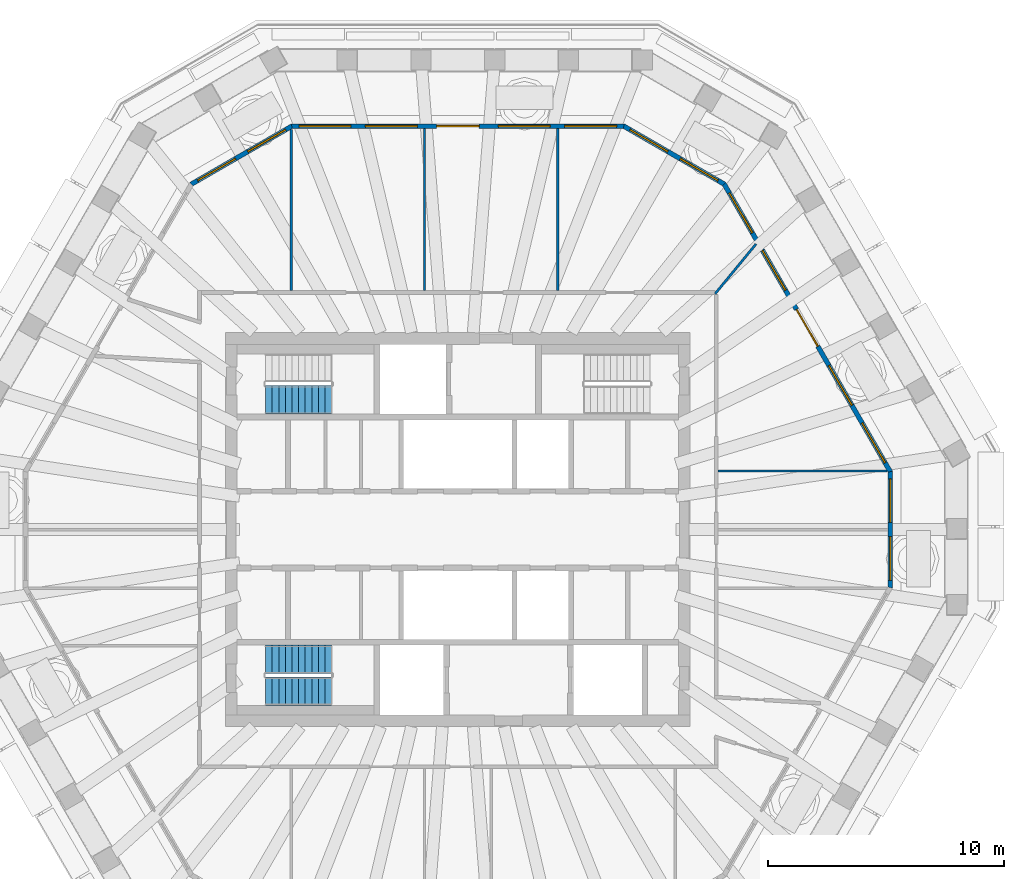
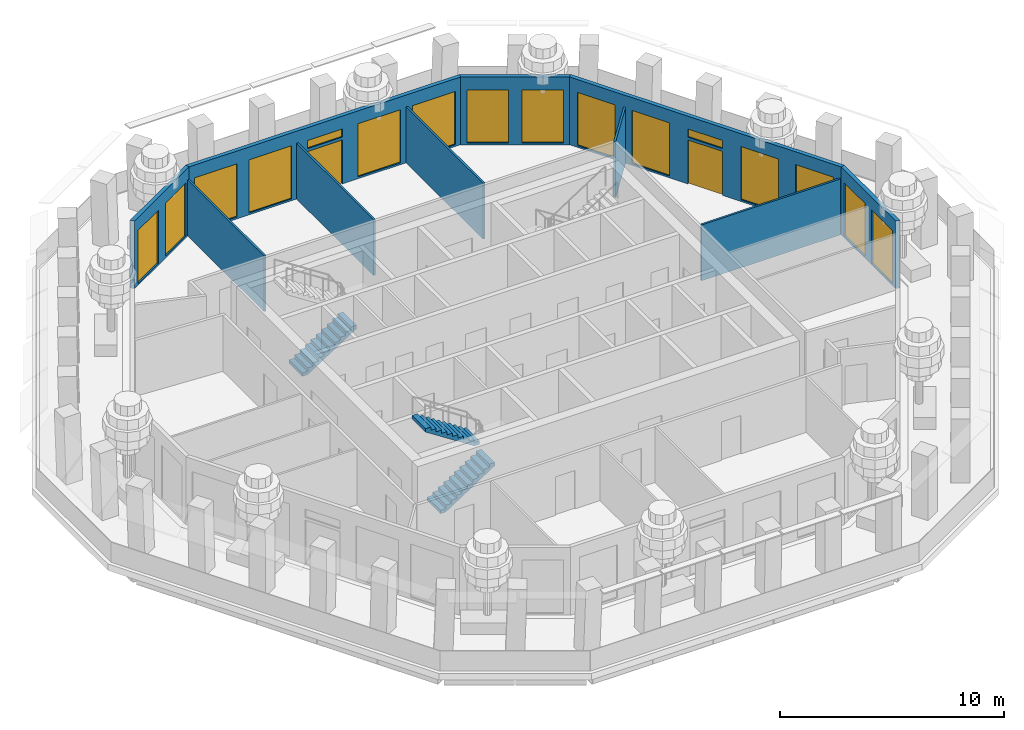
# One storey, part 7 of 13: 16 windows, 10 walls, 3 stair flights, 2 doors, 18 openings, 2 elements without a shape of their own.
"""IFC4 building model written with IfcOpenShell, lengths in metres."""

from ifc_helpers import new_model, si_unit, direction, frame, frame_2d, origin, place, context, subcontext, project, spatial, polyline, rectangle, outline, extrude, material, layer, layer_set, type_object, element, fill, aggregate, save


model = new_model("IFC4")

# Units and contexts
model_context = context("Model", 3, precision=1e-05, world=origin(), true_north=direction((0.0, 1.0)))
body_context = subcontext(model_context, "Body", "Model", "MODEL_VIEW")
ifc_project = project(units=[si_unit("LENGTHUNIT", "METRE"), si_unit("AREAUNIT", "SQUARE_METRE"), si_unit("VOLUMEUNIT", "CUBIC_METRE"), si_unit("PLANEANGLEUNIT", "RADIAN"), si_unit("MASSUNIT", "GRAM", prefix="KILO")], contexts=[model_context])

# Site, building, storey
site_placement = place(None, origin())
site = spatial("IfcSite", under=ifc_project, at=site_placement, CompositionType="ELEMENT")
building_placement = place(site_placement, origin())
building = spatial("IfcBuilding", under=site, at=building_placement, Name="Frailejon Research Tower", CompositionType="ELEMENT")
storey_placement = place(building_placement, frame((0.0, 0.0, 308.60009765625)))
storey = spatial("IfcBuildingStorey", under=building, at=storey_placement, Name="L68", CompositionType="ELEMENT", Elevation=308.60009765625)

# Walls
ifc_material_1 = material(Name="Gypsum board and masonry partition", Category="masonry")
ifc_layer_1 = layer(ifc_material_1, 0.10009765625)
ifc_layer_set_1 = layer_set([ifc_layer_1], Name="Partition, gypsum on steel studs 100")
wall_type_1 = type_object("IfcWallType", Name="Partition, gypsum on steel studs 100", PredefinedType="PARTITIONING", material=ifc_layer_set_1)
wall_1_placement = place(storey_placement, frame((11.02490234375, 2.482666015625, 0.0), z_axis=(0.0, 0.0, 1.0), x_axis=(1.0, 0.0, 0.0)))
element("IfcWall", 1, at=wall_1_placement, inside=storey, type_object=wall_type_1, Name="T:IW:L68:011", PredefinedType="PARTITIONING", context=body_context, shape_type="SweptSolid", body=[
    extrude(rectangle(XDim=7.171630859375, YDim=0.10009765625, at=frame_2d((3.5859375, 0.0))), origin(), (0.0, 0.0, 1.0), 3.0498046875),
])
wall_2_placement = place(storey_placement, frame((10.90234375, 9.9921875, 0.0), z_axis=(0.0, 0.0, 1.0), x_axis=(0.635310017761, 0.772257198952, 0.0)))
element("IfcWall", 2, at=wall_2_placement, inside=storey, type_object=wall_type_1, Name="T:IW:L68:014", PredefinedType="PARTITIONING", context=body_context, shape_type="SweptSolid", body=[
    extrude(rectangle(XDim=2.736572265625, YDim=0.10009765625, at=frame_2d((1.3681640625, 0.0))), origin(), (0.0, 0.0, 1.0), 3.0498046875),
])
for number, where, z_axis, x_axis, name in (
    (3, (4.23828125, 10.125, 0.0), (0.0, 0.0, 1.0), (0.0, 1.0, 0.0), "T:IW:L68:015"),
    (4, (-1.412841796875, 10.125, 0.0), (0.0, 0.0, 1.0), (0.0, 1.0, 0.0), "T:IW:L68:017"),
):
    element("IfcWall", number, at=place(storey_placement, frame(where, z_axis=z_axis, x_axis=x_axis)), inside=storey, type_object=wall_type_1, Name=name, PredefinedType="PARTITIONING", context=body_context, shape_type="SweptSolid", body=[
        extrude(rectangle(XDim=6.875, YDim=0.10009765625, at=frame_2d((3.4375, 0.0))), origin(), (0.0, 0.0, 1.0), 3.0498046875),
    ])
wall_3_placement = place(storey_placement, frame((-7.063720703125, 10.125, 0.0), z_axis=(0.0, 0.0, 1.0), x_axis=(0.0, 1.0, 0.0)))
element("IfcWall", 5, at=wall_3_placement, inside=storey, type_object=wall_type_1, Name="T:IW:L68:019", PredefinedType="PARTITIONING", context=body_context, shape_type="SweptSolid", body=[
    extrude(rectangle(XDim=6.843994140625, YDim=0.10009765625, at=frame_2d((3.421875, 0.0))), origin(), (0.0, 0.0, 1.0), 3.0498046875),
])

# Wall, openings, windows
ifc_material_2 = material(Name="Concrete C40/50 precast window wall panel", Category="concrete")
ifc_layer_2 = layer(ifc_material_2, 0.199951171875)
ifc_layer_set_2 = layer_set([ifc_layer_2], Name="Window wall 200")
wall_type_2 = type_object("IfcWallType", Name="Window wall 200", PredefinedType="SOLIDWALL", material=ifc_layer_set_2)
wall_4_placement = place(storey_placement, frame((18.327392578125, -2.455810546875, 0.0), z_axis=(0.0, 0.0, 1.0), x_axis=(0.0, 1.0, 0.0)))
wall_4 = element("IfcWall", 6, at=wall_4_placement, inside=storey, type_object=wall_type_2, Name="Exterior wall L68", PredefinedType="SOLIDWALL", context=body_context, shape_type="SweptSolid", body=[
    extrude(outline(polyline([(-0.02685546875, -0.10009765625), (1.21435546875, -0.10009765625), (2.455810546875, -0.10009765625), (3.697265625, -0.10009765625), (4.9384765625, -0.10009765625), (4.884765625, 0.10009765625), (3.67041015625, 0.10009765625), (2.455810546875, 0.10009765625), (1.2412109375, 0.10009765625), (0.02685546875, 0.10009765625), (-0.02685546875, -0.10009765625)])), origin(), (0.0, 0.0, 1.0), 3.699951171875),
])
opening_1_placement = place(wall_4_placement, frame((0.302978515625, 0.0, 0.10009765625)))
opening_1 = element("IfcOpeningElement", 7, at=opening_1_placement, cuts=wall_4, Name="Opening W26", PredefinedType="OPENING", context=body_context, shape_type="SweptSolid", body=[
    extrude(rectangle(XDim=1.85009765625, YDim=2.89990234375, at=frame_2d((0.925048828125, 1.449951171875))), frame((0.0, 0.10986328125, 0.0), z_axis=(0.0, -1.0, 0.0), x_axis=(1.0, 0.0, 0.0)), (0.0, 0.0, 1.0), 0.219970703125),
])
opening_2_placement = place(wall_4_placement, frame((2.7587890625, 0.0, 0.10009765625)))
opening_2 = element("IfcOpeningElement", 8, at=opening_2_placement, cuts=wall_4, Name="Opening W26", PredefinedType="OPENING", context=body_context, shape_type="SweptSolid", body=[
    extrude(rectangle(XDim=1.85009765625, YDim=2.89990234375, at=frame_2d((0.925048828125, 1.449951171875))), frame((0.0, 0.10986328125, 0.0), z_axis=(0.0, -1.0, 0.0), x_axis=(1.0, 0.0, 0.0)), (0.0, 0.0, 1.0), 0.219970703125),
])
ifc_material_3 = material(Name="Aluminium framed double glazing", Category="aluminium")
window_type_1 = type_object("IfcWindowType", Name="Window 1850x2900", PartitioningType="SINGLE_PANEL", PredefinedType="WINDOW", material=ifc_material_3)
window_1_placement = place(opening_1_placement, origin())
window_1 = element("IfcWindow", 9, at=window_1_placement, inside=storey, type_object=window_type_1, Name="Window L68", OverallHeight=2.89990234375, OverallWidth=1.85009765625, PartitioningType="SINGLE_PANEL", PredefinedType="WINDOW", context=body_context, shape_type="SweptSolid", body=[
    extrude(rectangle(XDim=1.85009765625, YDim=2.89990234375, at=frame_2d((0.925048828125, 1.449951171875))), frame((0.0, 0.030029296875, 0.0), z_axis=(0.0, -1.0, 0.0), x_axis=(1.0, 0.0, 0.0)), (0.0, 0.0, 1.0), 0.06005859375),
])
fill(opening_1, window_1)
window_2_placement = place(opening_2_placement, origin())
window_2 = element("IfcWindow", 10, at=window_2_placement, inside=storey, type_object=window_type_1, Name="Window L68", OverallHeight=2.89990234375, OverallWidth=1.85009765625, PartitioningType="SINGLE_PANEL", PredefinedType="WINDOW", context=body_context, shape_type="SweptSolid", body=[
    extrude(rectangle(XDim=1.85009765625, YDim=2.89990234375, at=frame_2d((0.925048828125, 1.449951171875))), frame((0.0, 0.030029296875, 0.0), z_axis=(0.0, -1.0, 0.0), x_axis=(1.0, 0.0, 0.0)), (0.0, 0.0, 1.0), 0.06005859375),
])
fill(opening_2, window_2)

# Wall, openings, door, windows
wall_5_placement = place(storey_placement, frame((18.327392578125, 2.455810546875, 0.0), z_axis=(0.0, 0.0, 1.0), x_axis=(-0.499991740577, 0.866030172312, 0.0)))
wall_5 = element("IfcWall", 11, at=wall_5_placement, inside=storey, type_object=wall_type_2, Name="Exterior wall L68", PredefinedType="SOLIDWALL", context=body_context, shape_type="SweptSolid", body=[
    extrude(outline(polyline([(-0.02685546875, -0.10009765625), (0.982177734375, -0.10009765625), (1.991455078125, -0.10009765625), (3.00048828125, -0.10009765625), (4.009521484375, -0.10009765625), (5.018798828125, -0.10009765625), (6.02783203125, -0.10009765625), (7.037109375, -0.10009765625), (8.046142578125, -0.10009765625), (9.05517578125, -0.10009765625), (10.064453125, -0.10009765625), (11.073486328125, -0.10009765625), (12.08251953125, -0.10009765625), (13.091796875, -0.10009765625), (14.100830078125, -0.10009765625), (14.047119140625, 0.10009765625), (13.045654296875, 0.10009765625), (12.044189453125, 0.10009765625), (11.042724609375, 0.10009765625), (10.041259765625, 0.10009765625), (9.039794921875, 0.10009765625), (8.038330078125, 0.10009765625), (7.037109375, 0.10009765625), (6.03564453125, 0.10009765625), (5.0341796875, 0.10009765625), (4.03271484375, 0.10009765625), (3.03125, 0.10009765625), (2.02978515625, 0.10009765625), (1.0283203125, 0.10009765625), (0.02685546875, 0.10009765625), (-0.02685546875, -0.10009765625)])), origin(), (0.0, 0.0, 1.0), 3.699951171875),
])
opening_3_placement = place(wall_5_placement, frame((0.432373046875, 0.0, 0.10009765625)))
opening_3 = element("IfcOpeningElement", 12, at=opening_3_placement, cuts=wall_5, Name="Opening W27", PredefinedType="OPENING", context=body_context, shape_type="SweptSolid", body=[
    extrude(rectangle(XDim=1.949951171875, YDim=2.89990234375, at=frame_2d((0.97509765625, 1.449951171875))), frame((0.0, 0.10986328125, 0.0), z_axis=(0.0, -1.0, 0.0), x_axis=(1.0, 0.0, 0.0)), (0.0, 0.0, 1.0), 0.219970703125),
])
opening_4_placement = place(wall_5_placement, frame((3.247314453125, 0.0, 0.10009765625)))
opening_4 = element("IfcOpeningElement", 13, at=opening_4_placement, cuts=wall_5, Name="Opening W27", PredefinedType="OPENING", context=body_context, shape_type="SweptSolid", body=[
    extrude(rectangle(XDim=1.949951171875, YDim=2.89990234375, at=frame_2d((0.97509765625, 1.449951171875))), frame((0.0, 0.10986328125, 0.0), z_axis=(0.0, -1.0, 0.0), x_axis=(1.0, 0.0, 0.0)), (0.0, 0.0, 1.0), 0.219970703125),
])
opening_5_placement = place(wall_5_placement, frame((6.136962890625, 0.0, 0.0)))
opening_5 = element("IfcOpeningElement", 14, at=opening_5_placement, cuts=wall_5, Name="Opening LG68-1", PredefinedType="OPENING", context=body_context, shape_type="SweptSolid", body=[
    extrude(rectangle(XDim=1.800048828125, YDim=2.39990234375, at=frame_2d((0.89990234375, 1.199951171875))), frame((0.0, 0.10986328125, 0.0), z_axis=(0.0, -1.0, 0.0), x_axis=(1.0, 0.0, 0.0)), (0.0, 0.0, 1.0), 0.219970703125),
])
opening_6_placement = place(wall_5_placement, frame((6.136962890625, 0.0, 2.550048828125)))
opening_6 = element("IfcOpeningElement", 15, at=opening_6_placement, cuts=wall_5, Name="Opening W1", PredefinedType="OPENING", context=body_context, shape_type="SweptSolid", body=[
    extrude(rectangle(XDim=1.800048828125, YDim=0.449951171875, at=frame_2d((0.89990234375, 0.22509765625))), frame((0.0, 0.10986328125, 0.0), z_axis=(0.0, -1.0, 0.0), x_axis=(1.0, 0.0, 0.0)), (0.0, 0.0, 1.0), 0.219970703125),
])
opening_7_placement = place(wall_5_placement, frame((8.876708984375, 0.0, 0.10009765625)))
opening_7 = element("IfcOpeningElement", 16, at=opening_7_placement, cuts=wall_5, Name="Opening W27", PredefinedType="OPENING", context=body_context, shape_type="SweptSolid", body=[
    extrude(rectangle(XDim=1.949951171875, YDim=2.89990234375, at=frame_2d((0.97509765625, 1.449951171875))), frame((0.0, 0.10986328125, 0.0), z_axis=(0.0, -1.0, 0.0), x_axis=(1.0, 0.0, 0.0)), (0.0, 0.0, 1.0), 0.219970703125),
])
opening_8_placement = place(wall_5_placement, frame((11.69140625, 0.0, 0.10009765625)))
opening_8 = element("IfcOpeningElement", 17, at=opening_8_placement, cuts=wall_5, Name="Opening W27", PredefinedType="OPENING", context=body_context, shape_type="SweptSolid", body=[
    extrude(rectangle(XDim=1.949951171875, YDim=2.89990234375, at=frame_2d((0.97509765625, 1.449951171875))), frame((0.0, 0.10986328125, 0.0), z_axis=(0.0, -1.0, 0.0), x_axis=(1.0, 0.0, 0.0)), (0.0, 0.0, 1.0), 0.219970703125),
])
ifc_material_4 = material(Name="Aluminium framed glazed door leaf", Category="aluminium")
door_type = type_object("IfcDoorType", Name="Loggia door 1800x2400", OperationType="DOUBLE_DOOR_SINGLE_SWING", PredefinedType="DOOR", material=ifc_material_4)
door_1_placement = place(opening_5_placement, origin())
door_1 = element("IfcDoor", 18, at=door_1_placement, inside=storey, type_object=door_type, Name="Door LG68-1", OperationType="DOUBLE_DOOR_SINGLE_SWING", OverallHeight=2.39990234375, OverallWidth=1.800048828125, PredefinedType="DOOR", context=body_context, shape_type="SweptSolid", body=[
    extrude(rectangle(XDim=1.800048828125, YDim=2.39990234375, at=frame_2d((0.89990234375, 1.199951171875))), frame((0.0, 0.02490234375, 0.0), z_axis=(0.0, -1.0, 0.0), x_axis=(1.0, 0.0, 0.0)), (0.0, 0.0, 1.0), 0.050048828125),
])
fill(opening_5, door_1)
ifc_material_5 = material(Name="Aluminium framed double glazing", Category="aluminium")
window_type_2 = type_object("IfcWindowType", Name="Window 1800x450", PartitioningType="SINGLE_PANEL", PredefinedType="WINDOW", material=ifc_material_5)
window_3_placement = place(opening_6_placement, origin())
window_3 = element("IfcWindow", 19, at=window_3_placement, inside=storey, type_object=window_type_2, Name="Window L68", OverallHeight=0.449951171875, OverallWidth=1.800048828125, PartitioningType="SINGLE_PANEL", PredefinedType="WINDOW", context=body_context, shape_type="SweptSolid", body=[
    extrude(rectangle(XDim=1.800048828125, YDim=0.449951171875, at=frame_2d((0.89990234375, 0.22509765625))), frame((0.0, 0.030029296875, 0.0), z_axis=(0.0, -1.0, 0.0), x_axis=(1.0, 0.0, 0.0)), (0.0, 0.0, 1.0), 0.06005859375),
])
fill(opening_6, window_3)
ifc_material_6 = material(Name="Aluminium framed double glazing", Category="aluminium")
window_type_3 = type_object("IfcWindowType", Name="Window 1950x2900", PartitioningType="SINGLE_PANEL", PredefinedType="WINDOW", material=ifc_material_6)
window_4_placement = place(opening_3_placement, origin())
window_4 = element("IfcWindow", 20, at=window_4_placement, inside=storey, type_object=window_type_3, Name="Window L68", OverallHeight=2.89990234375, OverallWidth=1.949951171875, PartitioningType="SINGLE_PANEL", PredefinedType="WINDOW", context=body_context, shape_type="SweptSolid", body=[
    extrude(rectangle(XDim=1.949951171875, YDim=2.89990234375, at=frame_2d((0.97509765625, 1.449951171875))), frame((0.0, 0.030029296875, 0.0), z_axis=(0.0, -1.0, 0.0), x_axis=(1.0, 0.0, 0.0)), (0.0, 0.0, 1.0), 0.06005859375),
])
fill(opening_3, window_4)
window_5_placement = place(opening_4_placement, origin())
window_5 = element("IfcWindow", 21, at=window_5_placement, inside=storey, type_object=window_type_3, Name="Window L68", OverallHeight=2.89990234375, OverallWidth=1.949951171875, PartitioningType="SINGLE_PANEL", PredefinedType="WINDOW", context=body_context, shape_type="SweptSolid", body=[
    extrude(rectangle(XDim=1.949951171875, YDim=2.89990234375, at=frame_2d((0.97509765625, 1.449951171875))), frame((0.0, 0.030029296875, 0.0), z_axis=(0.0, -1.0, 0.0), x_axis=(1.0, 0.0, 0.0)), (0.0, 0.0, 1.0), 0.06005859375),
])
fill(opening_4, window_5)
window_6_placement = place(opening_7_placement, origin())
window_6 = element("IfcWindow", 22, at=window_6_placement, inside=storey, type_object=window_type_3, Name="Window L68", OverallHeight=2.89990234375, OverallWidth=1.949951171875, PartitioningType="SINGLE_PANEL", PredefinedType="WINDOW", context=body_context, shape_type="SweptSolid", body=[
    extrude(rectangle(XDim=1.949951171875, YDim=2.89990234375, at=frame_2d((0.97509765625, 1.449951171875))), frame((0.0, 0.030029296875, 0.0), z_axis=(0.0, -1.0, 0.0), x_axis=(1.0, 0.0, 0.0)), (0.0, 0.0, 1.0), 0.06005859375),
])
fill(opening_7, window_6)
window_7_placement = place(opening_8_placement, origin())
window_7 = element("IfcWindow", 23, at=window_7_placement, inside=storey, type_object=window_type_3, Name="Window L68", OverallHeight=2.89990234375, OverallWidth=1.949951171875, PartitioningType="SINGLE_PANEL", PredefinedType="WINDOW", context=body_context, shape_type="SweptSolid", body=[
    extrude(rectangle(XDim=1.949951171875, YDim=2.89990234375, at=frame_2d((0.97509765625, 1.449951171875))), frame((0.0, 0.030029296875, 0.0), z_axis=(0.0, -1.0, 0.0), x_axis=(1.0, 0.0, 0.0)), (0.0, 0.0, 1.0), 0.06005859375),
])
fill(opening_8, window_7)

# Wall, openings, windows
wall_6_placement = place(storey_placement, frame((11.29052734375, 14.644287109375, 0.0), z_axis=(0.0, 0.0, 1.0), x_axis=(-0.86601671623, 0.500015046984, 0.0)))
wall_6 = element("IfcWall", 24, at=wall_6_placement, inside=storey, type_object=wall_type_2, Name="Exterior wall L68", PredefinedType="SOLIDWALL", context=body_context, shape_type="SweptSolid", body=[
    extrude(outline(polyline([(-0.02685546875, -0.10009765625), (1.21435546875, -0.10009765625), (2.45556640625, -0.10009765625), (3.697021484375, -0.10009765625), (4.938232421875, -0.10009765625), (4.884521484375, 0.10009765625), (3.670166015625, 0.10009765625), (2.45556640625, 0.10009765625), (1.2412109375, 0.10009765625), (0.02685546875, 0.10009765625), (-0.02685546875, -0.10009765625)])), origin(), (0.0, 0.0, 1.0), 3.699951171875),
])
opening_9_placement = place(wall_6_placement, frame((0.302978515625, 0.0, 0.10009765625)))
opening_9 = element("IfcOpeningElement", 25, at=opening_9_placement, cuts=wall_6, Name="Opening W26", PredefinedType="OPENING", context=body_context, shape_type="SweptSolid", body=[
    extrude(rectangle(XDim=1.85009765625, YDim=2.89990234375, at=frame_2d((0.925048828125, 1.449951171875))), frame((0.0, 0.10986328125, 0.0), z_axis=(0.0, -1.0, 0.0), x_axis=(1.0, 0.0, 0.0)), (0.0, 0.0, 1.0), 0.219970703125),
])
opening_10_placement = place(wall_6_placement, frame((2.7587890625, 0.0, 0.10009765625)))
opening_10 = element("IfcOpeningElement", 26, at=opening_10_placement, cuts=wall_6, Name="Opening W26", PredefinedType="OPENING", context=body_context, shape_type="SweptSolid", body=[
    extrude(rectangle(XDim=1.85009765625, YDim=2.89990234375, at=frame_2d((0.925048828125, 1.449951171875))), frame((0.0, 0.10986328125, 0.0), z_axis=(0.0, -1.0, 0.0), x_axis=(1.0, 0.0, 0.0)), (0.0, 0.0, 1.0), 0.219970703125),
])
window_8_placement = place(opening_9_placement, origin())
window_8 = element("IfcWindow", 27, at=window_8_placement, inside=storey, type_object=window_type_1, Name="Window L68", OverallHeight=2.89990234375, OverallWidth=1.85009765625, PartitioningType="SINGLE_PANEL", PredefinedType="WINDOW", context=body_context, shape_type="SweptSolid", body=[
    extrude(rectangle(XDim=1.85009765625, YDim=2.89990234375, at=frame_2d((0.925048828125, 1.449951171875))), frame((0.0, 0.030029296875, 0.0), z_axis=(0.0, -1.0, 0.0), x_axis=(1.0, 0.0, 0.0)), (0.0, 0.0, 1.0), 0.06005859375),
])
fill(opening_9, window_8)
window_9_placement = place(opening_10_placement, origin())
window_9 = element("IfcWindow", 28, at=window_9_placement, inside=storey, type_object=window_type_1, Name="Window L68", OverallHeight=2.89990234375, OverallWidth=1.85009765625, PartitioningType="SINGLE_PANEL", PredefinedType="WINDOW", context=body_context, shape_type="SweptSolid", body=[
    extrude(rectangle(XDim=1.85009765625, YDim=2.89990234375, at=frame_2d((0.925048828125, 1.449951171875))), frame((0.0, 0.030029296875, 0.0), z_axis=(0.0, -1.0, 0.0), x_axis=(1.0, 0.0, 0.0)), (0.0, 0.0, 1.0), 0.06005859375),
])
fill(opening_10, window_9)

# Wall, openings, door, windows
wall_7_placement = place(storey_placement, frame((7.037109375, 17.10009765625, 0.0), z_axis=(0.0, 0.0, 1.0), x_axis=(-1.0, 0.0, 0.0)))
wall_7 = element("IfcWall", 29, at=wall_7_placement, inside=storey, type_object=wall_type_2, Name="Exterior wall L68", PredefinedType="SOLIDWALL", context=body_context, shape_type="SweptSolid", body=[
    extrude(outline(polyline([(-0.02685546875, -0.10009765625), (0.982177734375, -0.10009765625), (1.991455078125, -0.10009765625), (3.00048828125, -0.10009765625), (4.009765625, -0.10009765625), (5.018798828125, -0.10009765625), (6.028076171875, -0.10009765625), (7.037109375, -0.10009765625), (8.046142578125, -0.10009765625), (9.055419921875, -0.10009765625), (10.064453125, -0.10009765625), (11.07373046875, -0.10009765625), (12.082763671875, -0.10009765625), (13.092041015625, -0.10009765625), (14.10107421875, -0.10009765625), (14.04736328125, 0.10009765625), (13.0458984375, 0.10009765625), (12.04443359375, 0.10009765625), (11.04296875, 0.10009765625), (10.04150390625, 0.10009765625), (9.0400390625, 0.10009765625), (8.03857421875, 0.10009765625), (7.037109375, 0.10009765625), (6.03564453125, 0.10009765625), (5.0341796875, 0.10009765625), (4.03271484375, 0.10009765625), (3.03125, 0.10009765625), (2.02978515625, 0.10009765625), (1.0283203125, 0.10009765625), (0.02685546875, 0.10009765625), (-0.02685546875, -0.10009765625)])), origin(), (0.0, 0.0, 1.0), 3.699951171875),
])
opening_11_placement = place(wall_7_placement, frame((0.307373046875, 0.0, 0.10009765625)))
opening_11 = element("IfcOpeningElement", 30, at=opening_11_placement, cuts=wall_7, Name="Opening W28", PredefinedType="OPENING", context=body_context, shape_type="SweptSolid", body=[
    extrude(rectangle(XDim=2.199951171875, YDim=2.89990234375, at=frame_2d((1.10009765625, 1.449951171875))), frame((0.0, 0.10986328125, 0.0), z_axis=(0.0, -1.0, 0.0), x_axis=(1.0, 0.0, 0.0)), (0.0, 0.0, 1.0), 0.219970703125),
])
opening_12_placement = place(wall_7_placement, frame((3.122314453125, 0.0, 0.10009765625)))
opening_12 = element("IfcOpeningElement", 31, at=opening_12_placement, cuts=wall_7, Name="Opening W28", PredefinedType="OPENING", context=body_context, shape_type="SweptSolid", body=[
    extrude(rectangle(XDim=2.199951171875, YDim=2.89990234375, at=frame_2d((1.10009765625, 1.449951171875))), frame((0.0, 0.10986328125, 0.0), z_axis=(0.0, -1.0, 0.0), x_axis=(1.0, 0.0, 0.0)), (0.0, 0.0, 1.0), 0.219970703125),
])
opening_13_placement = place(wall_7_placement, frame((6.136962890625, 0.0, 0.0)))
opening_13 = element("IfcOpeningElement", 32, at=opening_13_placement, cuts=wall_7, Name="Opening LG68-2", PredefinedType="OPENING", context=body_context, shape_type="SweptSolid", body=[
    extrude(rectangle(XDim=1.800048828125, YDim=2.39990234375, at=frame_2d((0.89990234375, 1.199951171875))), frame((0.0, 0.10986328125, 0.0), z_axis=(0.0, -1.0, 0.0), x_axis=(1.0, 0.0, 0.0)), (0.0, 0.0, 1.0), 0.219970703125),
])
opening_14_placement = place(wall_7_placement, frame((6.136962890625, 0.0, 2.550048828125)))
opening_14 = element("IfcOpeningElement", 33, at=opening_14_placement, cuts=wall_7, Name="Opening W1", PredefinedType="OPENING", context=body_context, shape_type="SweptSolid", body=[
    extrude(rectangle(XDim=1.800048828125, YDim=0.449951171875, at=frame_2d((0.89990234375, 0.22509765625))), frame((0.0, 0.10986328125, 0.0), z_axis=(0.0, -1.0, 0.0), x_axis=(1.0, 0.0, 0.0)), (0.0, 0.0, 1.0), 0.219970703125),
])
opening_15_placement = place(wall_7_placement, frame((8.751708984375, 0.0, 0.10009765625)))
opening_15 = element("IfcOpeningElement", 34, at=opening_15_placement, cuts=wall_7, Name="Opening W28", PredefinedType="OPENING", context=body_context, shape_type="SweptSolid", body=[
    extrude(rectangle(XDim=2.199951171875, YDim=2.89990234375, at=frame_2d((1.10009765625, 1.449951171875))), frame((0.0, 0.10986328125, 0.0), z_axis=(0.0, -1.0, 0.0), x_axis=(1.0, 0.0, 0.0)), (0.0, 0.0, 1.0), 0.219970703125),
])
opening_16_placement = place(wall_7_placement, frame((11.56640625, 0.0, 0.10009765625)))
opening_16 = element("IfcOpeningElement", 35, at=opening_16_placement, cuts=wall_7, Name="Opening W28", PredefinedType="OPENING", context=body_context, shape_type="SweptSolid", body=[
    extrude(rectangle(XDim=2.199951171875, YDim=2.89990234375, at=frame_2d((1.10009765625, 1.449951171875))), frame((0.0, 0.10986328125, 0.0), z_axis=(0.0, -1.0, 0.0), x_axis=(1.0, 0.0, 0.0)), (0.0, 0.0, 1.0), 0.219970703125),
])
door_2_placement = place(opening_13_placement, origin())
door_2 = element("IfcDoor", 36, at=door_2_placement, inside=storey, type_object=door_type, Name="Door LG68-2", OperationType="DOUBLE_DOOR_SINGLE_SWING", OverallHeight=2.39990234375, OverallWidth=1.800048828125, PredefinedType="DOOR", context=body_context, shape_type="SweptSolid", body=[
    extrude(rectangle(XDim=1.800048828125, YDim=2.39990234375, at=frame_2d((0.89990234375, 1.199951171875))), frame((0.0, 0.02490234375, 0.0), z_axis=(0.0, -1.0, 0.0), x_axis=(1.0, 0.0, 0.0)), (0.0, 0.0, 1.0), 0.050048828125),
])
fill(opening_13, door_2)
window_10_placement = place(opening_14_placement, origin())
window_10 = element("IfcWindow", 37, at=window_10_placement, inside=storey, type_object=window_type_2, Name="Window L68", OverallHeight=0.449951171875, OverallWidth=1.800048828125, PartitioningType="SINGLE_PANEL", PredefinedType="WINDOW", context=body_context, shape_type="SweptSolid", body=[
    extrude(rectangle(XDim=1.800048828125, YDim=0.449951171875, at=frame_2d((0.89990234375, 0.22509765625))), frame((0.0, 0.030029296875, 0.0), z_axis=(0.0, -1.0, 0.0), x_axis=(1.0, 0.0, 0.0)), (0.0, 0.0, 1.0), 0.06005859375),
])
fill(opening_14, window_10)
ifc_material_7 = material(Name="Aluminium framed double glazing", Category="aluminium")
window_type_4 = type_object("IfcWindowType", Name="Window 2200x2900", PartitioningType="SINGLE_PANEL", PredefinedType="WINDOW", material=ifc_material_7)
window_11_placement = place(opening_11_placement, origin())
window_11 = element("IfcWindow", 38, at=window_11_placement, inside=storey, type_object=window_type_4, Name="Window L68", OverallHeight=2.89990234375, OverallWidth=2.199951171875, PartitioningType="SINGLE_PANEL", PredefinedType="WINDOW", context=body_context, shape_type="SweptSolid", body=[
    extrude(rectangle(XDim=2.199951171875, YDim=2.89990234375, at=frame_2d((1.10009765625, 1.449951171875))), frame((0.0, 0.030029296875, 0.0), z_axis=(0.0, -1.0, 0.0), x_axis=(1.0, 0.0, 0.0)), (0.0, 0.0, 1.0), 0.06005859375),
])
fill(opening_11, window_11)
window_12_placement = place(opening_12_placement, origin())
window_12 = element("IfcWindow", 39, at=window_12_placement, inside=storey, type_object=window_type_4, Name="Window L68", OverallHeight=2.89990234375, OverallWidth=2.199951171875, PartitioningType="SINGLE_PANEL", PredefinedType="WINDOW", context=body_context, shape_type="SweptSolid", body=[
    extrude(rectangle(XDim=2.199951171875, YDim=2.89990234375, at=frame_2d((1.10009765625, 1.449951171875))), frame((0.0, 0.030029296875, 0.0), z_axis=(0.0, -1.0, 0.0), x_axis=(1.0, 0.0, 0.0)), (0.0, 0.0, 1.0), 0.06005859375),
])
fill(opening_12, window_12)
window_13_placement = place(opening_15_placement, origin())
window_13 = element("IfcWindow", 40, at=window_13_placement, inside=storey, type_object=window_type_4, Name="Window L68", OverallHeight=2.89990234375, OverallWidth=2.199951171875, PartitioningType="SINGLE_PANEL", PredefinedType="WINDOW", context=body_context, shape_type="SweptSolid", body=[
    extrude(rectangle(XDim=2.199951171875, YDim=2.89990234375, at=frame_2d((1.10009765625, 1.449951171875))), frame((0.0, 0.030029296875, 0.0), z_axis=(0.0, -1.0, 0.0), x_axis=(1.0, 0.0, 0.0)), (0.0, 0.0, 1.0), 0.06005859375),
])
fill(opening_15, window_13)
window_14_placement = place(opening_16_placement, origin())
window_14 = element("IfcWindow", 41, at=window_14_placement, inside=storey, type_object=window_type_4, Name="Window L68", OverallHeight=2.89990234375, OverallWidth=2.199951171875, PartitioningType="SINGLE_PANEL", PredefinedType="WINDOW", context=body_context, shape_type="SweptSolid", body=[
    extrude(rectangle(XDim=2.199951171875, YDim=2.89990234375, at=frame_2d((1.10009765625, 1.449951171875))), frame((0.0, 0.030029296875, 0.0), z_axis=(0.0, -1.0, 0.0), x_axis=(1.0, 0.0, 0.0)), (0.0, 0.0, 1.0), 0.06005859375),
])
fill(opening_16, window_14)

# Wall, openings, windows
wall_8_placement = place(storey_placement, frame((-7.037109375, 17.10009765625, 0.0), z_axis=(0.0, 0.0, 1.0), x_axis=(-0.86601671623, -0.500015046984, 0.0)))
wall_8 = element("IfcWall", 42, at=wall_8_placement, inside=storey, type_object=wall_type_2, Name="Exterior wall L68", PredefinedType="SOLIDWALL", context=body_context, shape_type="SweptSolid", body=[
    extrude(outline(polyline([(-0.02685546875, -0.10009765625), (1.21435546875, -0.10009765625), (2.45556640625, -0.10009765625), (3.697021484375, -0.10009765625), (4.938232421875, -0.10009765625), (4.884521484375, 0.10009765625), (3.670166015625, 0.10009765625), (2.45556640625, 0.10009765625), (1.2412109375, 0.10009765625), (0.02685546875, 0.10009765625), (-0.02685546875, -0.10009765625)])), origin(), (0.0, 0.0, 1.0), 3.699951171875),
])
opening_17_placement = place(wall_8_placement, frame((0.302978515625, 0.0, 0.10009765625)))
opening_17 = element("IfcOpeningElement", 43, at=opening_17_placement, cuts=wall_8, Name="Opening W26", PredefinedType="OPENING", context=body_context, shape_type="SweptSolid", body=[
    extrude(rectangle(XDim=1.85009765625, YDim=2.89990234375, at=frame_2d((0.925048828125, 1.449951171875))), frame((0.0, 0.10986328125, 0.0), z_axis=(0.0, -1.0, 0.0), x_axis=(1.0, 0.0, 0.0)), (0.0, 0.0, 1.0), 0.219970703125),
])
opening_18_placement = place(wall_8_placement, frame((2.7587890625, 0.0, 0.10009765625)))
opening_18 = element("IfcOpeningElement", 44, at=opening_18_placement, cuts=wall_8, Name="Opening W26", PredefinedType="OPENING", context=body_context, shape_type="SweptSolid", body=[
    extrude(rectangle(XDim=1.85009765625, YDim=2.89990234375, at=frame_2d((0.925048828125, 1.449951171875))), frame((0.0, 0.10986328125, 0.0), z_axis=(0.0, -1.0, 0.0), x_axis=(1.0, 0.0, 0.0)), (0.0, 0.0, 1.0), 0.219970703125),
])
window_15_placement = place(opening_17_placement, origin())
window_15 = element("IfcWindow", 45, at=window_15_placement, inside=storey, type_object=window_type_1, Name="Window L68", OverallHeight=2.89990234375, OverallWidth=1.85009765625, PartitioningType="SINGLE_PANEL", PredefinedType="WINDOW", context=body_context, shape_type="SweptSolid", body=[
    extrude(rectangle(XDim=1.85009765625, YDim=2.89990234375, at=frame_2d((0.925048828125, 1.449951171875))), frame((0.0, 0.030029296875, 0.0), z_axis=(0.0, -1.0, 0.0), x_axis=(1.0, 0.0, 0.0)), (0.0, 0.0, 1.0), 0.06005859375),
])
fill(opening_17, window_15)
window_16_placement = place(opening_18_placement, origin())
window_16 = element("IfcWindow", 46, at=window_16_placement, inside=storey, type_object=window_type_1, Name="Window L68", OverallHeight=2.89990234375, OverallWidth=1.85009765625, PartitioningType="SINGLE_PANEL", PredefinedType="WINDOW", context=body_context, shape_type="SweptSolid", body=[
    extrude(rectangle(XDim=1.85009765625, YDim=2.89990234375, at=frame_2d((0.925048828125, 1.449951171875))), frame((0.0, 0.030029296875, 0.0), z_axis=(0.0, -1.0, 0.0), x_axis=(1.0, 0.0, 0.0)), (0.0, 0.0, 1.0), 0.06005859375),
])
fill(opening_18, window_16)

# Stair, stair flight
ifc_material_8 = material(Name="Concrete C50/60", Category="concrete")
stair_type = type_object("IfcStairType", Name="Exit stair 22 risers", PredefinedType="HALF_TURN_STAIR", material=ifc_material_8)
stair_1_placement = place(storey_placement, origin())
stair_1 = element("IfcStair", 47, at=stair_1_placement, inside=storey, type_object=stair_type, Name="L68 Exit stair ST1", PredefinedType="HALF_TURN_STAIR")
ifc_material_9 = material(Name="Concrete C50/60", Category="concrete")
ifc_layer_3 = layer(ifc_material_9, 0.14990234375)
ifc_layer_set_3 = layer_set([ifc_layer_3], Name="Stair flight 11 risers")
stair_flight_type = type_object("IfcStairFlightType", Name="Stair flight 11 risers", PredefinedType="STRAIGHT", material=ifc_layer_set_3)
stair_flight_1_placement = place(storey_placement, frame((-8.14990234375, 5.5, 0.0), z_axis=(0.0, 0.0, 1.0), x_axis=(1.0, 0.0, 0.0)))
stair_flight_1 = element("IfcStairFlight", 48, at=stair_flight_1_placement, type_object=stair_flight_type, Name="ST1 flight 1", NumberOfRisers=11, NumberOfTreads=10, PredefinedType="STRAIGHT", RiserHeight=0.181818182, TreadLength=0.28, context=body_context, shape_type="SweptSolid", body=[
    extrude(outline(polyline([(0.0, 0.0), (0.0, 0.181884765625), (0.280029296875, 0.181884765625), (0.280029296875, 0.363525390625), (0.56005859375, 0.363525390625), (0.56005859375, 0.54541015625), (0.840087890625, 0.54541015625), (0.840087890625, 0.727294921875), (1.1201171875, 0.727294921875), (1.1201171875, 0.9091796875), (1.39990234375, 0.9091796875), (1.39990234375, 1.0908203125), (1.679931640625, 1.0908203125), (1.679931640625, 1.272705078125), (1.9599609375, 1.272705078125), (1.9599609375, 1.45458984375), (2.239990234375, 1.45458984375), (2.239990234375, 1.636474609375), (2.52001953125, 1.636474609375), (2.52001953125, 1.818115234375), (2.800048828125, 1.818115234375), (2.800048828125, 2.0), (2.800048828125, 1.639404296875), (0.275146484375, 0.0), (0.0, 0.0)])), frame((0.0, 0.60009765625, 0.0), z_axis=(0.0, -1.0, 0.0), x_axis=(1.0, 0.0, 0.0)), (0.0, 0.0, 1.0), 1.199951171875),
])
aggregate(stair_1, [stair_flight_1])

# Stair, stair flights
stair_2_placement = place(storey_placement, origin())
stair_2 = element("IfcStair", 49, at=stair_2_placement, inside=storey, type_object=stair_type, Name="L68 Exit stair ST2", PredefinedType="HALF_TURN_STAIR")
stair_flight_2_placement = place(storey_placement, frame((-8.14990234375, -6.85009765625, 0.0), z_axis=(0.0, 0.0, 1.0), x_axis=(1.0, 0.0, 0.0)))
stair_flight_2 = element("IfcStairFlight", 50, at=stair_flight_2_placement, type_object=stair_flight_type, Name="ST2 flight 1", NumberOfRisers=11, NumberOfTreads=10, PredefinedType="STRAIGHT", RiserHeight=0.181818182, TreadLength=0.28, context=body_context, shape_type="SweptSolid", body=[
    extrude(outline(polyline([(0.0, 0.0), (0.0, 0.181884765625), (0.280029296875, 0.181884765625), (0.280029296875, 0.363525390625), (0.56005859375, 0.363525390625), (0.56005859375, 0.54541015625), (0.840087890625, 0.54541015625), (0.840087890625, 0.727294921875), (1.1201171875, 0.727294921875), (1.1201171875, 0.9091796875), (1.39990234375, 0.9091796875), (1.39990234375, 1.0908203125), (1.679931640625, 1.0908203125), (1.679931640625, 1.272705078125), (1.9599609375, 1.272705078125), (1.9599609375, 1.45458984375), (2.239990234375, 1.45458984375), (2.239990234375, 1.636474609375), (2.52001953125, 1.636474609375), (2.52001953125, 1.818115234375), (2.800048828125, 1.818115234375), (2.800048828125, 2.0), (2.800048828125, 1.639404296875), (0.275146484375, 0.0), (0.0, 0.0)])), frame((0.0, 0.60009765625, 0.0), z_axis=(0.0, -1.0, 0.0), x_axis=(1.0, 0.0, 0.0)), (0.0, 0.0, 1.0), 1.199951171875),
])
stair_flight_3_placement = place(storey_placement, frame((-5.35009765625, -5.5, 2.0), z_axis=(0.0, 0.0, 1.0), x_axis=(-1.0, 0.0, 0.0)))
stair_flight_3 = element("IfcStairFlight", 51, at=stair_flight_3_placement, type_object=stair_flight_type, Name="ST2 flight 2", NumberOfRisers=11, NumberOfTreads=10, PredefinedType="STRAIGHT", RiserHeight=0.181818182, TreadLength=0.28, context=body_context, shape_type="SweptSolid", body=[
    extrude(outline(polyline([(0.0, 0.0), (0.0, 0.181884765625), (0.280029296875, 0.181884765625), (0.280029296875, 0.363525390625), (0.56005859375, 0.363525390625), (0.56005859375, 0.54541015625), (0.840087890625, 0.54541015625), (0.840087890625, 0.727294921875), (1.1201171875, 0.727294921875), (1.1201171875, 0.9091796875), (1.39990234375, 0.9091796875), (1.39990234375, 1.0908203125), (1.679931640625, 1.0908203125), (1.679931640625, 1.272705078125), (1.9599609375, 1.272705078125), (1.9599609375, 1.45458984375), (2.239990234375, 1.45458984375), (2.239990234375, 1.636474609375), (2.52001953125, 1.636474609375), (2.52001953125, 1.818115234375), (2.800048828125, 1.818115234375), (2.800048828125, 2.0), (2.800048828125, 1.639404296875), (0.275146484375, 0.0), (0.0, 0.0)])), frame((0.0, 0.60009765625, 0.0), z_axis=(0.0, -1.0, 0.0), x_axis=(1.0, 0.0, 0.0)), (0.0, 0.0, 1.0), 1.199951171875),
])
aggregate(stair_2, [stair_flight_2, stair_flight_3])

save(model, "model.ifc")
